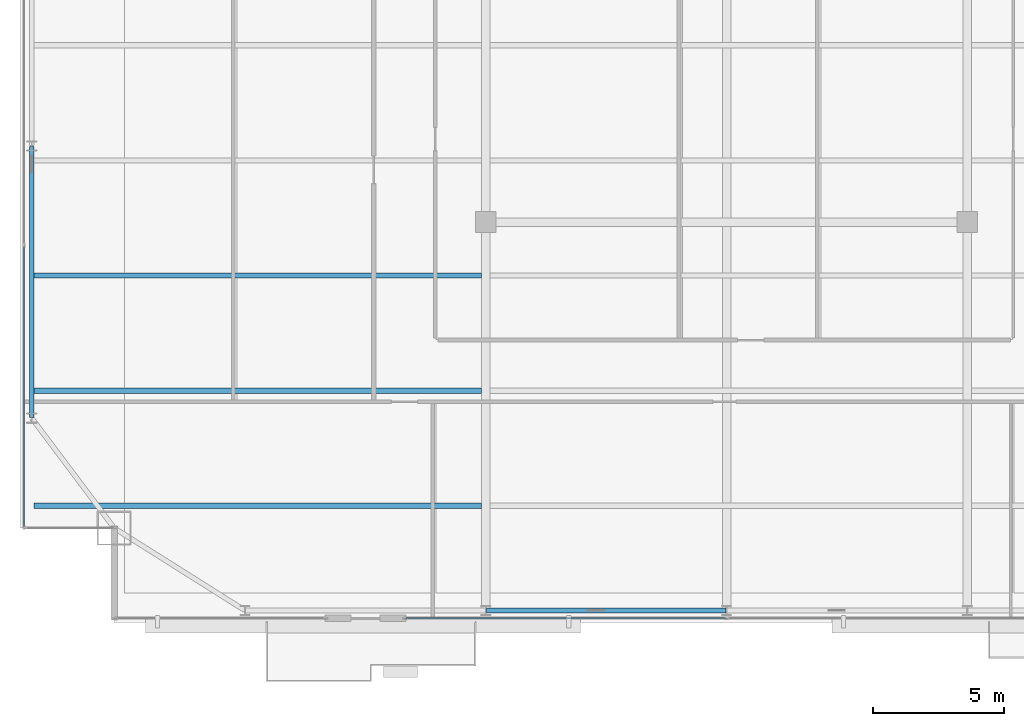
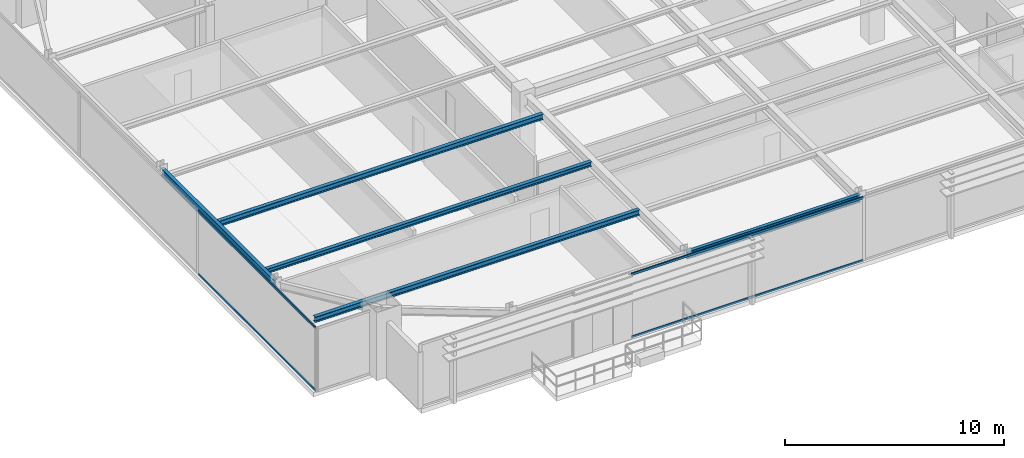
# One storey, part 7 of 31: 5 beams, 4 members, 2 elements without a shape of their own.
"""IFC4 building model written with IfcOpenShell, lengths in metres."""

from ifc_helpers import new_model, si_unit, direction, frame, origin, origin_2d, place, context, subcontext, project, spatial, hollow_rectangle, i_section, extrude, source, transform, mapped, material, layer, layer_set, material_profile, profile_set, type_object, type_shapes, element, aggregate, save


model = new_model("IFC4")

# Units and contexts
model_context = context("Model", 3, precision=1e-05, world=origin(), true_north=direction((0.0, 1.0)))
body_context = subcontext(model_context, "Body", "Model", "MODEL_VIEW")
ifc_project = project(units=[si_unit("LENGTHUNIT", "METRE"), si_unit("AREAUNIT", "SQUARE_METRE"), si_unit("VOLUMEUNIT", "CUBIC_METRE"), si_unit("PLANEANGLEUNIT", "RADIAN"), si_unit("MASSUNIT", "GRAM", prefix="KILO")], contexts=[model_context])

# Site, building, storey
site_placement = place(None, origin())
site = spatial("IfcSite", under=ifc_project, at=site_placement, CompositionType="ELEMENT")
building_placement = place(site_placement, origin())
building = spatial("IfcBuilding", under=site, at=building_placement, Name="Varnel Quay Broadcast Tower", CompositionType="ELEMENT")
storey_placement = place(building_placement, frame((0.0, 0.0, 183.800048828125)))
storey = spatial("IfcBuildingStorey", under=building, at=storey_placement, Name="L45", CompositionType="ELEMENT", Elevation=183.800048828125)

# Beams
ifc_material_1 = material(Name="Structural Steel CSA G40.21 350W", Category="steel")
ifc_material_profile_1 = material_profile(ifc_material_1, i_section(OverallWidth=0.180908203125, OverallDepth=0.4169921875, WebThickness=0.010986328125, FlangeThickness=0.018310546875, FilletRadius=0.011962890625, at=origin_2d()), Name="W410X85")
ifc_profile_set_1 = profile_set([ifc_material_profile_1], Name="Structural Steel CSA G40.21 350W")
beam_type_1 = type_object("IfcBeamType", Name="Beam_W410X85", PredefinedType="SPANDREL", material=ifc_profile_set_1)
shared_shape_1 = source(origin(), body_context, "Body", "SweptSolid", [
    extrude(i_section(OverallWidth=0.180908203125, OverallDepth=0.4169921875, WebThickness=0.010986328125, FlangeThickness=0.018310546875, FilletRadius=0.011962890625, at=origin_2d()), origin(), (0.0, 0.0, 1.0), 9.159912109375),
])
beam_1_placement = place(storey_placement, frame((24.820068359375, 7.64990234375, 3.341552734375), z_axis=(1.0, 0.0, 0.0), x_axis=(0.0, 1.0, 0.0)))
element("IfcBeam", 1, at=beam_1_placement, inside=storey, type_object=beam_type_1, Name="L45 South Spandrel TC-S2-TC-S3", PredefinedType="SPANDREL", context=body_context, shape_type="MappedRepresentation", body=[
    mapped(shared_shape_1, transform((0.0, 0.0, 0.0), x_axis=(1.0, 0.0, 0.0), y_axis=(0.0, 1.0, 0.0), z_axis=(0.0, 0.0, 1.0), scale=1.0)),
])
shared_shape_2 = source(origin(), body_context, "Body", "SweptSolid", [
    extrude(i_section(OverallWidth=0.180908203125, OverallDepth=0.4169921875, WebThickness=0.010986328125, FlangeThickness=0.018310546875, FilletRadius=0.011962890625, at=origin_2d()), origin(), (0.0, 0.0, 1.0), 10.35986328125),
])
type_shapes(beam_type_1, [shared_shape_1, shared_shape_2])
beam_2_placement = place(storey_placement, frame((7.449951171875, 15.02001953125, 3.341552734375), z_axis=(0.0, 1.0, 0.0), x_axis=(-1.0, 0.0, 0.0)))
element("IfcBeam", 2, at=beam_2_placement, inside=storey, type_object=beam_type_1, Name="L45 West Spandrel TC-W1-TC-W2", PredefinedType="SPANDREL", context=body_context, shape_type="MappedRepresentation", body=[
    mapped(shared_shape_2, transform((0.0, 0.0, 0.0), x_axis=(1.0, 0.0, 0.0), y_axis=(0.0, 1.0, 0.0), z_axis=(0.0, 0.0, 1.0), scale=1.0)),
])
ifc_material_profile_2 = material_profile(ifc_material_1, i_section(OverallWidth=0.202880859375, OverallDepth=0.302978515625, WebThickness=0.007568359375, FlangeThickness=0.01318359375, FilletRadius=0.011962890625, at=origin_2d()), Name="W310X60")
ifc_profile_set_2 = profile_set([ifc_material_profile_2], Name="Structural Steel CSA G40.21 350W")
beam_type_2 = type_object("IfcBeamType", Name="Beam_W310X60", PredefinedType="JOIST", material=ifc_profile_set_2)
shared_shape_3 = source(origin(), body_context, "Body", "SweptSolid", [
    extrude(i_section(OverallWidth=0.202880859375, OverallDepth=0.302978515625, WebThickness=0.007568359375, FlangeThickness=0.01318359375, FilletRadius=0.011962890625, at=origin_2d()), origin(), (0.0, 0.0, 1.0), 17.107177734375),
])
type_shapes(beam_type_2, [shared_shape_3])
for number, where, z_axis, x_axis, name in (
    (3, (7.535400390625, 11.64990234375, 3.3984375), (1.0, 0.0, 0.0), (0.0, 1.0, 0.0), "L45 West Floor Joist 1"),
    (4, (7.535400390625, 20.449951171875, 3.3984375), (1.0, 0.0, 0.0), (0.0, 1.0, 0.0), "L45 West Floor Joist 3"),
):
    element("IfcBeam", number, at=place(storey_placement, frame(where, z_axis=z_axis, x_axis=x_axis)), inside=storey, type_object=beam_type_2, Name=name, PredefinedType="JOIST", context=body_context, shape_type="MappedRepresentation", body=[
        mapped(shared_shape_3, transform((0.0, 0.0, 0.0), x_axis=(1.0, 0.0, 0.0), y_axis=(0.0, 1.0, 0.0), z_axis=(0.0, 0.0, 1.0), scale=1.0)),
    ])
ifc_material_profile_3 = material_profile(ifc_material_1, i_section(OverallWidth=0.201904296875, OverallDepth=0.2470703125, WebThickness=0.00732421875, FlangeThickness=0.010986328125, FilletRadius=0.010986328125, at=origin_2d()), Name="W250X49")
ifc_profile_set_3 = profile_set([ifc_material_profile_3], Name="Structural Steel CSA G40.21 350W")
beam_type_3 = type_object("IfcBeamType", Name="Beam_W250X49", PredefinedType="JOIST", material=ifc_profile_set_3)
shared_shape_4 = source(origin(), body_context, "Body", "SweptSolid", [
    extrude(i_section(OverallWidth=0.201904296875, OverallDepth=0.2470703125, WebThickness=0.00732421875, FlangeThickness=0.010986328125, FilletRadius=0.010986328125, at=origin_2d()), origin(), (0.0, 0.0, 1.0), 17.107177734375),
])
type_shapes(beam_type_3, [shared_shape_4])
beam_3_placement = place(storey_placement, frame((7.535400390625, 16.050048828125, 3.426513671875), z_axis=(1.0, 0.0, 0.0), x_axis=(0.0, 1.0, 0.0)))
element("IfcBeam", 5, at=beam_3_placement, inside=storey, type_object=beam_type_3, Name="L45 West Floor Joist 2", PredefinedType="JOIST", context=body_context, shape_type="MappedRepresentation", body=[
    mapped(shared_shape_4, transform((0.0, 0.0, 0.0), x_axis=(1.0, 0.0, 0.0), y_axis=(0.0, 1.0, 0.0), z_axis=(0.0, 0.0, 1.0), scale=1.0)),
])

# Curtain wall, members
ifc_material_2 = material(Name="Anodised Bronze Aluminium 6063-T6", Category="aluminium")
ifc_layer = layer(ifc_material_2, 0.18994140625, Name="Anodised Bronze Aluminium 6063-T6")
ifc_layer_set = layer_set([ifc_layer], Name="Anodised Bronze Aluminium 6063-T6")
curtain_wall_type = type_object("IfcCurtainWallType", Name="CW_UpperTower", PredefinedType="NOTDEFINED", material=ifc_layer_set)
curtain_wall_1_placement = place(storey_placement, origin())
curtain_wall_1 = element("IfcCurtainWall", 6, at=curtain_wall_1_placement, inside=storey, type_object=curtain_wall_type, Name="L45 West Unitised Curtain Wall", PredefinedType="NOTDEFINED")
ifc_material_profile_4 = material_profile(ifc_material_2, hollow_rectangle(XDim=0.06005859375, YDim=0.125, WallThickness=0.0029296875, at=origin_2d()), Name="ALU60X125X3")
ifc_profile_set_4 = profile_set([ifc_material_profile_4], Name="Anodised Bronze Aluminium 6063-T6")
member_type = type_object("IfcMemberType", Name="Tran_CWS-03", PredefinedType="USERDEFINED", material=ifc_profile_set_4)
shared_shape_5 = source(origin(), body_context, "Body", "SweptSolid", [
    extrude(hollow_rectangle(XDim=0.06005859375, YDim=0.125, WallThickness=0.0029296875, at=origin_2d()), origin(), (0.0, 0.0, 1.0), 10.702392578125),
])
member_1_placement = place(storey_placement, frame((7.14990234375, 10.864990234375, 0.030029296875), z_axis=(0.0, 1.0, 0.0), x_axis=(-1.0, 0.0, 0.0)))
member_1 = element("IfcMember", 7, at=member_1_placement, type_object=member_type, Name="CWS-03 transom 1.1", ObjectType="TRANSOM", PredefinedType="USERDEFINED", context=body_context, shape_type="MappedRepresentation", body=[
    mapped(shared_shape_5, transform((0.0, 0.0, 0.0), x_axis=(1.0, 0.0, 0.0), y_axis=(0.0, 1.0, 0.0), z_axis=(0.0, 0.0, 1.0), scale=1.0)),
])
member_2_placement = place(storey_placement, frame((7.14990234375, 10.864990234375, 3.52001953125), z_axis=(0.0, 1.0, 0.0), x_axis=(-1.0, 0.0, 0.0)))
member_2 = element("IfcMember", 8, at=member_2_placement, type_object=member_type, Name="CWS-03 transom 1.2", ObjectType="TRANSOM", PredefinedType="USERDEFINED", context=body_context, shape_type="MappedRepresentation", body=[
    mapped(shared_shape_5, transform((0.0, 0.0, 0.0), x_axis=(1.0, 0.0, 0.0), y_axis=(0.0, 1.0, 0.0), z_axis=(0.0, 0.0, 1.0), scale=1.0)),
])
aggregate(curtain_wall_1, [member_1, member_2])

curtain_wall_2_placement = place(storey_placement, origin())
curtain_wall_2 = element("IfcCurtainWall", 9, at=curtain_wall_2_placement, inside=storey, type_object=curtain_wall_type, Name="L45 South Unitised Curtain Wall 2", PredefinedType="NOTDEFINED")
shared_shape_6 = source(origin(), body_context, "Body", "SweptSolid", [
    extrude(hollow_rectangle(XDim=0.06005859375, YDim=0.125, WallThickness=0.0029296875, at=origin_2d()), origin(), (0.0, 0.0, 1.0), 12.222412109375),
])
type_shapes(member_type, [shared_shape_5, shared_shape_6])
member_3_placement = place(storey_placement, frame((21.7451171875, 7.35009765625, 0.030029296875), z_axis=(1.0, 0.0, 0.0), x_axis=(0.0, 1.0, 0.0)))
member_3 = element("IfcMember", 10, at=member_3_placement, type_object=member_type, Name="CWS-03 transom 1.1", ObjectType="TRANSOM", PredefinedType="USERDEFINED", context=body_context, shape_type="MappedRepresentation", body=[
    mapped(shared_shape_6, transform((0.0, 0.0, 0.0), x_axis=(1.0, 0.0, 0.0), y_axis=(0.0, 1.0, 0.0), z_axis=(0.0, 0.0, 1.0), scale=1.0)),
])
member_4_placement = place(storey_placement, frame((21.7451171875, 7.35009765625, 3.52001953125), z_axis=(1.0, 0.0, 0.0), x_axis=(0.0, 1.0, 0.0)))
member_4 = element("IfcMember", 11, at=member_4_placement, type_object=member_type, Name="CWS-03 transom 1.2", ObjectType="TRANSOM", PredefinedType="USERDEFINED", context=body_context, shape_type="MappedRepresentation", body=[
    mapped(shared_shape_6, transform((0.0, 0.0, 0.0), x_axis=(1.0, 0.0, 0.0), y_axis=(0.0, 1.0, 0.0), z_axis=(0.0, 0.0, 1.0), scale=1.0)),
])
aggregate(curtain_wall_2, [member_3, member_4])

save(model, "model.ifc")
